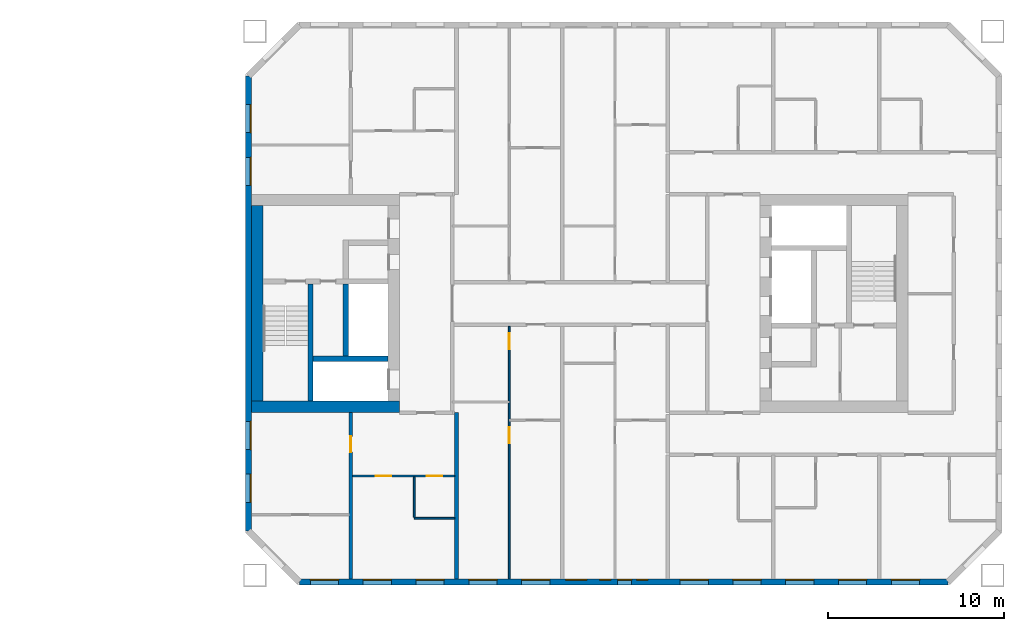
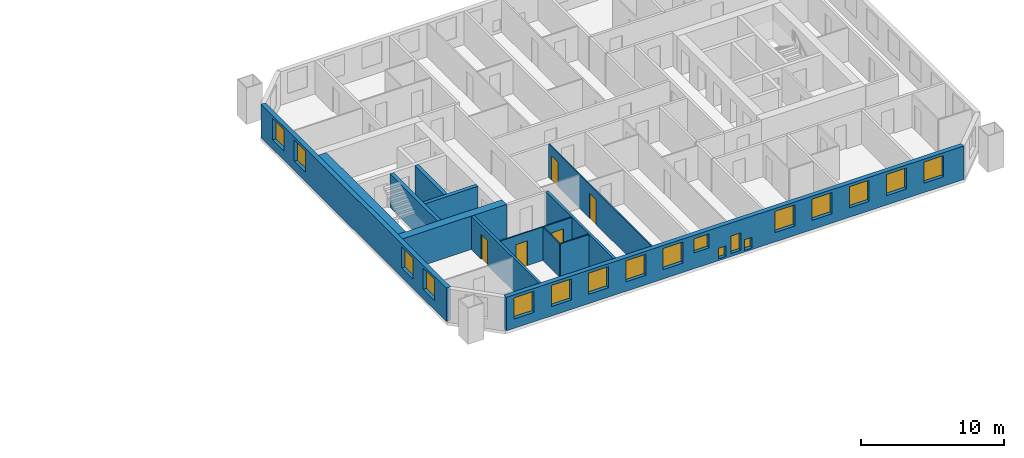
# One storey, part 9 of 16: 18 windows, 13 walls, 5 doors, 23 openings.
"""IFC4 building model written with IfcOpenShell, lengths in metres."""

from ifc_helpers import new_model, si_unit, direction, frame, frame_2d, origin, place, context, subcontext, project, spatial, rectangle, extrude, material, layer, layer_set, type_object, element, fill, save


model = new_model("IFC4")

# Units and contexts
model_context = context("Model", 3, precision=1e-05, world=origin(), true_north=direction((0.0, 1.0)))
body_context = subcontext(model_context, "Body", "Model", "MODEL_VIEW")
ifc_project = project(units=[si_unit("LENGTHUNIT", "METRE"), si_unit("AREAUNIT", "SQUARE_METRE"), si_unit("VOLUMEUNIT", "CUBIC_METRE"), si_unit("PLANEANGLEUNIT", "RADIAN"), si_unit("MASSUNIT", "GRAM", prefix="KILO")], contexts=[model_context])

# Site, building, storey
site_placement = place(None, origin())
site = spatial("IfcSite", under=ifc_project, at=site_placement, CompositionType="ELEMENT")
building_placement = place(site_placement, origin())
building = spatial("IfcBuilding", under=site, at=building_placement, Name="Tuart Gate Housing", CompositionType="ELEMENT")
storey_placement = place(building_placement, frame((0.0, 0.0, 111.89990234375)))
storey = spatial("IfcBuildingStorey", under=building, at=storey_placement, Name="L31", CompositionType="ELEMENT", Elevation=111.89990234375)

# Wall, openings, windows
ifc_material_1 = material(Name="Brick", Category="masonry")
ifc_layer_1 = layer(ifc_material_1, 0.360107421875)
ifc_layer_set_1 = layer_set([ifc_layer_1], Name="Brick pier and spandrel wall 360")
wall_type_1 = type_object("IfcWallType", Name="Brick pier and spandrel wall 360", PredefinedType="STANDARD", material=ifc_layer_set_1)
wall_1_placement = place(storey_placement, frame((134.07470703125, 54.179931640625, 0.0), z_axis=(0.0, 0.0, 1.0), x_axis=(1.0, 0.0, 0.0)))
wall_1 = element("IfcWall", 1, at=wall_1_placement, inside=storey, type_object=wall_type_1, Name="External wall B-S L31", PredefinedType="STANDARD", context=body_context, shape_type="SweptSolid", body=[
    extrude(rectangle(XDim=36.850830078125, YDim=0.360107421875, at=frame_2d((18.42529296875, 0.0))), origin(), (0.0, 0.0, 1.0), 2.85009765625),
])
opening_1_placement = place(wall_1_placement, frame((0.62548828125, 0.0, 0.800048828125)))
opening_1 = element("IfcOpeningElement", 2, at=opening_1_placement, cuts=wall_1, Name="Opening W1", PredefinedType="OPENING", context=body_context, shape_type="SweptSolid", body=[
    extrude(rectangle(XDim=1.60009765625, YDim=1.800048828125, at=frame_2d((0.800048828125, 0.89990234375))), frame((0.0, 0.18994140625, 0.0), z_axis=(0.0, -1.0, 0.0), x_axis=(1.0, 0.0, 0.0)), (0.0, 0.0, 1.0), 0.380126953125),
])
opening_2_placement = place(wall_1_placement, frame((3.62548828125, 0.0, 0.800048828125)))
opening_2 = element("IfcOpeningElement", 3, at=opening_2_placement, cuts=wall_1, Name="Opening W1", PredefinedType="OPENING", context=body_context, shape_type="SweptSolid", body=[
    extrude(rectangle(XDim=1.60009765625, YDim=1.800048828125, at=frame_2d((0.800048828125, 0.89990234375))), frame((0.0, 0.18994140625, 0.0), z_axis=(0.0, -1.0, 0.0), x_axis=(1.0, 0.0, 0.0)), (0.0, 0.0, 1.0), 0.380126953125),
])
opening_3_placement = place(wall_1_placement, frame((6.62548828125, 0.0, 0.800048828125)))
opening_3 = element("IfcOpeningElement", 4, at=opening_3_placement, cuts=wall_1, Name="Opening W1", PredefinedType="OPENING", context=body_context, shape_type="SweptSolid", body=[
    extrude(rectangle(XDim=1.60009765625, YDim=1.800048828125, at=frame_2d((0.800048828125, 0.89990234375))), frame((0.0, 0.18994140625, 0.0), z_axis=(0.0, -1.0, 0.0), x_axis=(1.0, 0.0, 0.0)), (0.0, 0.0, 1.0), 0.380126953125),
])
opening_4_placement = place(wall_1_placement, frame((9.62548828125, 0.0, 0.800048828125)))
opening_4 = element("IfcOpeningElement", 5, at=opening_4_placement, cuts=wall_1, Name="Opening W1", PredefinedType="OPENING", context=body_context, shape_type="SweptSolid", body=[
    extrude(rectangle(XDim=1.60009765625, YDim=1.800048828125, at=frame_2d((0.800048828125, 0.89990234375))), frame((0.0, 0.18994140625, 0.0), z_axis=(0.0, -1.0, 0.0), x_axis=(1.0, 0.0, 0.0)), (0.0, 0.0, 1.0), 0.380126953125),
])
opening_5_placement = place(wall_1_placement, frame((12.62548828125, 0.0, 0.800048828125)))
opening_5 = element("IfcOpeningElement", 6, at=opening_5_placement, cuts=wall_1, Name="Opening W1", PredefinedType="OPENING", context=body_context, shape_type="SweptSolid", body=[
    extrude(rectangle(XDim=1.60009765625, YDim=1.800048828125, at=frame_2d((0.800048828125, 0.89990234375))), frame((0.0, 0.18994140625, 0.0), z_axis=(0.0, -1.0, 0.0), x_axis=(1.0, 0.0, 0.0)), (0.0, 0.0, 1.0), 0.380126953125),
])
opening_6_placement = place(wall_1_placement, frame((15.12548828125, 0.0, 1.35009765625)))
opening_6 = element("IfcOpeningElement", 7, at=opening_6_placement, cuts=wall_1, Name="Opening W1N", PredefinedType="OPENING", context=body_context, shape_type="SweptSolid", body=[
    extrude(rectangle(XDim=1.199951171875, YDim=1.199951171875, at=frame_2d((0.60009765625, 0.60009765625))), frame((0.0, 0.18994140625, 0.0), z_axis=(0.0, -1.0, 0.0), x_axis=(1.0, 0.0, 0.0)), (0.0, 0.0, 1.0), 0.380126953125),
])
opening_7_placement = place(wall_1_placement, frame((18.075439453125, 0.0, 0.25)))
opening_7 = element("IfcOpeningElement", 8, at=opening_7_placement, cuts=wall_1, Name="Opening W1J", PredefinedType="OPENING", context=body_context, shape_type="SweptSolid", body=[
    extrude(rectangle(XDim=0.800048828125, YDim=1.5, at=frame_2d((0.39990234375, 0.75))), frame((0.0, 0.18994140625, 0.0), z_axis=(0.0, -1.0, 0.0), x_axis=(1.0, 0.0, 0.0)), (0.0, 0.0, 1.0), 0.380126953125),
])
opening_8_placement = place(wall_1_placement, frame((21.62548828125, 0.0, 0.800048828125)))
opening_8 = element("IfcOpeningElement", 9, at=opening_8_placement, cuts=wall_1, Name="Opening W1", PredefinedType="OPENING", context=body_context, shape_type="SweptSolid", body=[
    extrude(rectangle(XDim=1.60009765625, YDim=1.800048828125, at=frame_2d((0.800048828125, 0.89990234375))), frame((0.0, 0.18994140625, 0.0), z_axis=(0.0, -1.0, 0.0), x_axis=(1.0, 0.0, 0.0)), (0.0, 0.0, 1.0), 0.380126953125),
])
opening_9_placement = place(wall_1_placement, frame((24.62548828125, 0.0, 0.800048828125)))
opening_9 = element("IfcOpeningElement", 10, at=opening_9_placement, cuts=wall_1, Name="Opening W1", PredefinedType="OPENING", context=body_context, shape_type="SweptSolid", body=[
    extrude(rectangle(XDim=1.60009765625, YDim=1.800048828125, at=frame_2d((0.800048828125, 0.89990234375))), frame((0.0, 0.18994140625, 0.0), z_axis=(0.0, -1.0, 0.0), x_axis=(1.0, 0.0, 0.0)), (0.0, 0.0, 1.0), 0.380126953125),
])
opening_10_placement = place(wall_1_placement, frame((27.62548828125, 0.0, 0.800048828125)))
opening_10 = element("IfcOpeningElement", 11, at=opening_10_placement, cuts=wall_1, Name="Opening W1", PredefinedType="OPENING", context=body_context, shape_type="SweptSolid", body=[
    extrude(rectangle(XDim=1.60009765625, YDim=1.800048828125, at=frame_2d((0.800048828125, 0.89990234375))), frame((0.0, 0.18994140625, 0.0), z_axis=(0.0, -1.0, 0.0), x_axis=(1.0, 0.0, 0.0)), (0.0, 0.0, 1.0), 0.380126953125),
])
opening_11_placement = place(wall_1_placement, frame((30.62548828125, 0.0, 0.800048828125)))
opening_11 = element("IfcOpeningElement", 12, at=opening_11_placement, cuts=wall_1, Name="Opening W1", PredefinedType="OPENING", context=body_context, shape_type="SweptSolid", body=[
    extrude(rectangle(XDim=1.60009765625, YDim=1.800048828125, at=frame_2d((0.800048828125, 0.89990234375))), frame((0.0, 0.18994140625, 0.0), z_axis=(0.0, -1.0, 0.0), x_axis=(1.0, 0.0, 0.0)), (0.0, 0.0, 1.0), 0.380126953125),
])
opening_12_placement = place(wall_1_placement, frame((33.62548828125, 0.0, 0.800048828125)))
opening_12 = element("IfcOpeningElement", 13, at=opening_12_placement, cuts=wall_1, Name="Opening W1", PredefinedType="OPENING", context=body_context, shape_type="SweptSolid", body=[
    extrude(rectangle(XDim=1.60009765625, YDim=1.800048828125, at=frame_2d((0.800048828125, 0.89990234375))), frame((0.0, 0.18994140625, 0.0), z_axis=(0.0, -1.0, 0.0), x_axis=(1.0, 0.0, 0.0)), (0.0, 0.0, 1.0), 0.380126953125),
])
opening_13_placement = place(wall_1_placement, frame((17.075439453125, 0.0, 0.14990234375)))
opening_13 = element("IfcOpeningElement", 14, at=opening_13_placement, cuts=wall_1, Name="Opening W1W", PredefinedType="OPENING", context=body_context, shape_type="SweptSolid", body=[
    extrude(rectangle(XDim=0.60009765625, YDim=0.89990234375, at=frame_2d((0.300048828125, 0.449951171875))), frame((0.0, 0.18994140625, 0.0), z_axis=(0.0, -1.0, 0.0), x_axis=(1.0, 0.0, 0.0)), (0.0, 0.0, 1.0), 0.380126953125),
])
opening_14_placement = place(wall_1_placement, frame((19.17529296875, 0.0, 0.14990234375)))
opening_14 = element("IfcOpeningElement", 15, at=opening_14_placement, cuts=wall_1, Name="Opening W1W", PredefinedType="OPENING", context=body_context, shape_type="SweptSolid", body=[
    extrude(rectangle(XDim=0.60009765625, YDim=0.89990234375, at=frame_2d((0.300048828125, 0.449951171875))), frame((0.0, 0.18994140625, 0.0), z_axis=(0.0, -1.0, 0.0), x_axis=(1.0, 0.0, 0.0)), (0.0, 0.0, 1.0), 0.380126953125),
])
ifc_material_2 = material(Name="Aluminium frame with clear glass", Category="aluminium")
window_type_1 = type_object("IfcWindowType", Name="Punched window 1200 x 1200", PartitioningType="SINGLE_PANEL", PredefinedType="WINDOW", material=ifc_material_2)
window_1_placement = place(opening_6_placement, origin())
window_1 = element("IfcWindow", 16, at=window_1_placement, inside=storey, type_object=window_type_1, Name="Window W1N", OverallHeight=1.199951171875, OverallWidth=1.199951171875, PartitioningType="SINGLE_PANEL", PredefinedType="WINDOW", context=body_context, shape_type="SweptSolid", body=[
    extrude(rectangle(XDim=1.199951171875, YDim=1.199951171875, at=frame_2d((0.60009765625, 0.60009765625))), frame((0.0, 0.150146484375, 0.0), z_axis=(0.0, -1.0, 0.0), x_axis=(1.0, 0.0, 0.0)), (0.0, 0.0, 1.0), 0.06005859375),
])
fill(opening_6, window_1)
ifc_material_3 = material(Name="Aluminium frame with clear glass", Category="aluminium")
window_type_2 = type_object("IfcWindowType", Name="Punched window 1600 x 1800", PartitioningType="SINGLE_PANEL", PredefinedType="WINDOW", material=ifc_material_3)
window_2_placement = place(opening_1_placement, origin())
window_2 = element("IfcWindow", 17, at=window_2_placement, inside=storey, type_object=window_type_2, Name="Window W1", OverallHeight=1.800048828125, OverallWidth=1.60009765625, PartitioningType="SINGLE_PANEL", PredefinedType="WINDOW", context=body_context, shape_type="SweptSolid", body=[
    extrude(rectangle(XDim=1.60009765625, YDim=1.800048828125, at=frame_2d((0.800048828125, 0.89990234375))), frame((0.0, 0.150146484375, 0.0), z_axis=(0.0, -1.0, 0.0), x_axis=(1.0, 0.0, 0.0)), (0.0, 0.0, 1.0), 0.06005859375),
])
fill(opening_1, window_2)
window_3_placement = place(opening_2_placement, origin())
window_3 = element("IfcWindow", 18, at=window_3_placement, inside=storey, type_object=window_type_2, Name="Window W1", OverallHeight=1.800048828125, OverallWidth=1.60009765625, PartitioningType="SINGLE_PANEL", PredefinedType="WINDOW", context=body_context, shape_type="SweptSolid", body=[
    extrude(rectangle(XDim=1.60009765625, YDim=1.800048828125, at=frame_2d((0.800048828125, 0.89990234375))), frame((0.0, 0.150146484375, 0.0), z_axis=(0.0, -1.0, 0.0), x_axis=(1.0, 0.0, 0.0)), (0.0, 0.0, 1.0), 0.06005859375),
])
fill(opening_2, window_3)
window_4_placement = place(opening_3_placement, origin())
window_4 = element("IfcWindow", 19, at=window_4_placement, inside=storey, type_object=window_type_2, Name="Window W1", OverallHeight=1.800048828125, OverallWidth=1.60009765625, PartitioningType="SINGLE_PANEL", PredefinedType="WINDOW", context=body_context, shape_type="SweptSolid", body=[
    extrude(rectangle(XDim=1.60009765625, YDim=1.800048828125, at=frame_2d((0.800048828125, 0.89990234375))), frame((0.0, 0.150146484375, 0.0), z_axis=(0.0, -1.0, 0.0), x_axis=(1.0, 0.0, 0.0)), (0.0, 0.0, 1.0), 0.06005859375),
])
fill(opening_3, window_4)
window_5_placement = place(opening_4_placement, origin())
window_5 = element("IfcWindow", 20, at=window_5_placement, inside=storey, type_object=window_type_2, Name="Window W1", OverallHeight=1.800048828125, OverallWidth=1.60009765625, PartitioningType="SINGLE_PANEL", PredefinedType="WINDOW", context=body_context, shape_type="SweptSolid", body=[
    extrude(rectangle(XDim=1.60009765625, YDim=1.800048828125, at=frame_2d((0.800048828125, 0.89990234375))), frame((0.0, 0.150146484375, 0.0), z_axis=(0.0, -1.0, 0.0), x_axis=(1.0, 0.0, 0.0)), (0.0, 0.0, 1.0), 0.06005859375),
])
fill(opening_4, window_5)
window_6_placement = place(opening_5_placement, origin())
window_6 = element("IfcWindow", 21, at=window_6_placement, inside=storey, type_object=window_type_2, Name="Window W1", OverallHeight=1.800048828125, OverallWidth=1.60009765625, PartitioningType="SINGLE_PANEL", PredefinedType="WINDOW", context=body_context, shape_type="SweptSolid", body=[
    extrude(rectangle(XDim=1.60009765625, YDim=1.800048828125, at=frame_2d((0.800048828125, 0.89990234375))), frame((0.0, 0.150146484375, 0.0), z_axis=(0.0, -1.0, 0.0), x_axis=(1.0, 0.0, 0.0)), (0.0, 0.0, 1.0), 0.06005859375),
])
fill(opening_5, window_6)
window_7_placement = place(opening_8_placement, origin())
window_7 = element("IfcWindow", 22, at=window_7_placement, inside=storey, type_object=window_type_2, Name="Window W1", OverallHeight=1.800048828125, OverallWidth=1.60009765625, PartitioningType="SINGLE_PANEL", PredefinedType="WINDOW", context=body_context, shape_type="SweptSolid", body=[
    extrude(rectangle(XDim=1.60009765625, YDim=1.800048828125, at=frame_2d((0.800048828125, 0.89990234375))), frame((0.0, 0.150146484375, 0.0), z_axis=(0.0, -1.0, 0.0), x_axis=(1.0, 0.0, 0.0)), (0.0, 0.0, 1.0), 0.06005859375),
])
fill(opening_8, window_7)
window_8_placement = place(opening_9_placement, origin())
window_8 = element("IfcWindow", 23, at=window_8_placement, inside=storey, type_object=window_type_2, Name="Window W1", OverallHeight=1.800048828125, OverallWidth=1.60009765625, PartitioningType="SINGLE_PANEL", PredefinedType="WINDOW", context=body_context, shape_type="SweptSolid", body=[
    extrude(rectangle(XDim=1.60009765625, YDim=1.800048828125, at=frame_2d((0.800048828125, 0.89990234375))), frame((0.0, 0.150146484375, 0.0), z_axis=(0.0, -1.0, 0.0), x_axis=(1.0, 0.0, 0.0)), (0.0, 0.0, 1.0), 0.06005859375),
])
fill(opening_9, window_8)
window_9_placement = place(opening_10_placement, origin())
window_9 = element("IfcWindow", 24, at=window_9_placement, inside=storey, type_object=window_type_2, Name="Window W1", OverallHeight=1.800048828125, OverallWidth=1.60009765625, PartitioningType="SINGLE_PANEL", PredefinedType="WINDOW", context=body_context, shape_type="SweptSolid", body=[
    extrude(rectangle(XDim=1.60009765625, YDim=1.800048828125, at=frame_2d((0.800048828125, 0.89990234375))), frame((0.0, 0.150146484375, 0.0), z_axis=(0.0, -1.0, 0.0), x_axis=(1.0, 0.0, 0.0)), (0.0, 0.0, 1.0), 0.06005859375),
])
fill(opening_10, window_9)
window_10_placement = place(opening_11_placement, origin())
window_10 = element("IfcWindow", 25, at=window_10_placement, inside=storey, type_object=window_type_2, Name="Window W1", OverallHeight=1.800048828125, OverallWidth=1.60009765625, PartitioningType="SINGLE_PANEL", PredefinedType="WINDOW", context=body_context, shape_type="SweptSolid", body=[
    extrude(rectangle(XDim=1.60009765625, YDim=1.800048828125, at=frame_2d((0.800048828125, 0.89990234375))), frame((0.0, 0.150146484375, 0.0), z_axis=(0.0, -1.0, 0.0), x_axis=(1.0, 0.0, 0.0)), (0.0, 0.0, 1.0), 0.06005859375),
])
fill(opening_11, window_10)
window_11_placement = place(opening_12_placement, origin())
window_11 = element("IfcWindow", 26, at=window_11_placement, inside=storey, type_object=window_type_2, Name="Window W1", OverallHeight=1.800048828125, OverallWidth=1.60009765625, PartitioningType="SINGLE_PANEL", PredefinedType="WINDOW", context=body_context, shape_type="SweptSolid", body=[
    extrude(rectangle(XDim=1.60009765625, YDim=1.800048828125, at=frame_2d((0.800048828125, 0.89990234375))), frame((0.0, 0.150146484375, 0.0), z_axis=(0.0, -1.0, 0.0), x_axis=(1.0, 0.0, 0.0)), (0.0, 0.0, 1.0), 0.06005859375),
])
fill(opening_12, window_11)
ifc_material_4 = material(Name="Aluminium frame with clear glass", Category="aluminium")
window_type_3 = type_object("IfcWindowType", Name="Punched window 600 x 900", PartitioningType="SINGLE_PANEL", PredefinedType="WINDOW", material=ifc_material_4)
window_12_placement = place(opening_13_placement, origin())
window_12 = element("IfcWindow", 27, at=window_12_placement, inside=storey, type_object=window_type_3, Name="Window W1W", OverallHeight=0.89990234375, OverallWidth=0.60009765625, PartitioningType="SINGLE_PANEL", PredefinedType="WINDOW", context=body_context, shape_type="SweptSolid", body=[
    extrude(rectangle(XDim=0.60009765625, YDim=0.89990234375, at=frame_2d((0.300048828125, 0.449951171875))), frame((0.0, 0.150146484375, 0.0), z_axis=(0.0, -1.0, 0.0), x_axis=(1.0, 0.0, 0.0)), (0.0, 0.0, 1.0), 0.06005859375),
])
fill(opening_13, window_12)
window_13_placement = place(opening_14_placement, origin())
window_13 = element("IfcWindow", 28, at=window_13_placement, inside=storey, type_object=window_type_3, Name="Window W1W", OverallHeight=0.89990234375, OverallWidth=0.60009765625, PartitioningType="SINGLE_PANEL", PredefinedType="WINDOW", context=body_context, shape_type="SweptSolid", body=[
    extrude(rectangle(XDim=0.60009765625, YDim=0.89990234375, at=frame_2d((0.300048828125, 0.449951171875))), frame((0.0, 0.150146484375, 0.0), z_axis=(0.0, -1.0, 0.0), x_axis=(1.0, 0.0, 0.0)), (0.0, 0.0, 1.0), 0.06005859375),
])
fill(opening_14, window_13)
ifc_material_5 = material(Name="Aluminium frame with clear glass", Category="aluminium")
window_type_4 = type_object("IfcWindowType", Name="Punched window 800 x 1500", PartitioningType="SINGLE_PANEL", PredefinedType="WINDOW", material=ifc_material_5)
window_14_placement = place(opening_7_placement, origin())
window_14 = element("IfcWindow", 29, at=window_14_placement, inside=storey, type_object=window_type_4, Name="Window W1J", OverallHeight=1.5, OverallWidth=0.800048828125, PartitioningType="SINGLE_PANEL", PredefinedType="WINDOW", context=body_context, shape_type="SweptSolid", body=[
    extrude(rectangle(XDim=0.800048828125, YDim=1.5, at=frame_2d((0.39990234375, 0.75))), frame((0.0, 0.150146484375, 0.0), z_axis=(0.0, -1.0, 0.0), x_axis=(1.0, 0.0, 0.0)), (0.0, 0.0, 1.0), 0.06005859375),
])
fill(opening_7, window_14)

wall_2_placement = place(storey_placement, frame((131.179931640625, 82.92529296875, 0.0), z_axis=(0.0, 0.0, 1.0), x_axis=(0.0, -1.0, 0.0)))
wall_2 = element("IfcWall", 30, at=wall_2_placement, inside=storey, type_object=wall_type_1, Name="External wall B-W L31", PredefinedType="STANDARD", context=body_context, shape_type="SweptSolid", body=[
    extrude(rectangle(XDim=25.850830078125, YDim=0.360107421875, at=frame_2d((12.92529296875, 0.0))), origin(), (0.0, 0.0, 1.0), 2.85009765625),
])
opening_15_placement = place(wall_2_placement, frame((1.62548828125, 0.0, 0.800048828125)))
opening_15 = element("IfcOpeningElement", 31, at=opening_15_placement, cuts=wall_2, Name="Opening W1", PredefinedType="OPENING", context=body_context, shape_type="SweptSolid", body=[
    extrude(rectangle(XDim=1.60009765625, YDim=1.800048828125, at=frame_2d((0.800048828125, 0.89990234375))), frame((0.0, 0.18994140625, 0.0), z_axis=(0.0, -1.0, 0.0), x_axis=(1.0, 0.0, 0.0)), (0.0, 0.0, 1.0), 0.380126953125),
])
opening_16_placement = place(wall_2_placement, frame((4.62548828125, 0.0, 0.800048828125)))
opening_16 = element("IfcOpeningElement", 32, at=opening_16_placement, cuts=wall_2, Name="Opening W1", PredefinedType="OPENING", context=body_context, shape_type="SweptSolid", body=[
    extrude(rectangle(XDim=1.60009765625, YDim=1.800048828125, at=frame_2d((0.800048828125, 0.89990234375))), frame((0.0, 0.18994140625, 0.0), z_axis=(0.0, -1.0, 0.0), x_axis=(1.0, 0.0, 0.0)), (0.0, 0.0, 1.0), 0.380126953125),
])
opening_17_placement = place(wall_2_placement, frame((19.62548828125, 0.0, 0.800048828125)))
opening_17 = element("IfcOpeningElement", 33, at=opening_17_placement, cuts=wall_2, Name="Opening W1", PredefinedType="OPENING", context=body_context, shape_type="SweptSolid", body=[
    extrude(rectangle(XDim=1.60009765625, YDim=1.800048828125, at=frame_2d((0.800048828125, 0.89990234375))), frame((0.0, 0.18994140625, 0.0), z_axis=(0.0, -1.0, 0.0), x_axis=(1.0, 0.0, 0.0)), (0.0, 0.0, 1.0), 0.380126953125),
])
opening_18_placement = place(wall_2_placement, frame((22.62548828125, 0.0, 0.800048828125)))
opening_18 = element("IfcOpeningElement", 34, at=opening_18_placement, cuts=wall_2, Name="Opening W1", PredefinedType="OPENING", context=body_context, shape_type="SweptSolid", body=[
    extrude(rectangle(XDim=1.60009765625, YDim=1.800048828125, at=frame_2d((0.800048828125, 0.89990234375))), frame((0.0, 0.18994140625, 0.0), z_axis=(0.0, -1.0, 0.0), x_axis=(1.0, 0.0, 0.0)), (0.0, 0.0, 1.0), 0.380126953125),
])
window_15_placement = place(opening_15_placement, origin())
window_15 = element("IfcWindow", 35, at=window_15_placement, inside=storey, type_object=window_type_2, Name="Window W1", OverallHeight=1.800048828125, OverallWidth=1.60009765625, PartitioningType="SINGLE_PANEL", PredefinedType="WINDOW", context=body_context, shape_type="SweptSolid", body=[
    extrude(rectangle(XDim=1.60009765625, YDim=1.800048828125, at=frame_2d((0.800048828125, 0.89990234375))), frame((0.0, 0.150146484375, 0.0), z_axis=(0.0, -1.0, 0.0), x_axis=(1.0, 0.0, 0.0)), (0.0, 0.0, 1.0), 0.06005859375),
])
fill(opening_15, window_15)
window_16_placement = place(opening_16_placement, origin())
window_16 = element("IfcWindow", 36, at=window_16_placement, inside=storey, type_object=window_type_2, Name="Window W1", OverallHeight=1.800048828125, OverallWidth=1.60009765625, PartitioningType="SINGLE_PANEL", PredefinedType="WINDOW", context=body_context, shape_type="SweptSolid", body=[
    extrude(rectangle(XDim=1.60009765625, YDim=1.800048828125, at=frame_2d((0.800048828125, 0.89990234375))), frame((0.0, 0.150146484375, 0.0), z_axis=(0.0, -1.0, 0.0), x_axis=(1.0, 0.0, 0.0)), (0.0, 0.0, 1.0), 0.06005859375),
])
fill(opening_16, window_16)
window_17_placement = place(opening_17_placement, origin())
window_17 = element("IfcWindow", 37, at=window_17_placement, inside=storey, type_object=window_type_2, Name="Window W1", OverallHeight=1.800048828125, OverallWidth=1.60009765625, PartitioningType="SINGLE_PANEL", PredefinedType="WINDOW", context=body_context, shape_type="SweptSolid", body=[
    extrude(rectangle(XDim=1.60009765625, YDim=1.800048828125, at=frame_2d((0.800048828125, 0.89990234375))), frame((0.0, 0.150146484375, 0.0), z_axis=(0.0, -1.0, 0.0), x_axis=(1.0, 0.0, 0.0)), (0.0, 0.0, 1.0), 0.06005859375),
])
fill(opening_17, window_17)
window_18_placement = place(opening_18_placement, origin())
window_18 = element("IfcWindow", 38, at=window_18_placement, inside=storey, type_object=window_type_2, Name="Window W1", OverallHeight=1.800048828125, OverallWidth=1.60009765625, PartitioningType="SINGLE_PANEL", PredefinedType="WINDOW", context=body_context, shape_type="SweptSolid", body=[
    extrude(rectangle(XDim=1.60009765625, YDim=1.800048828125, at=frame_2d((0.800048828125, 0.89990234375))), frame((0.0, 0.150146484375, 0.0), z_axis=(0.0, -1.0, 0.0), x_axis=(1.0, 0.0, 0.0)), (0.0, 0.0, 1.0), 0.06005859375),
])
fill(opening_18, window_18)

# Walls
ifc_material_6 = material(Name="Concrete C50", Category="concrete")
ifc_layer_2 = layer(ifc_material_6, 0.300048828125)
ifc_layer_set_2 = layer_set([ifc_layer_2], Name="Core wall 300 C50")
wall_type_2 = type_object("IfcWallType", Name="Core wall 300 C50", PredefinedType="SHEAR", material=ifc_layer_set_2)
wall_3_placement = place(storey_placement, frame((139.110107421875, 66.85009765625, 0.0), z_axis=(0.0, 0.0, 1.0), x_axis=(-1.0, 0.0, 0.0)))
element("IfcWall", 39, at=wall_3_placement, inside=storey, type_object=wall_type_2, Name="Core wall BG.1", PredefinedType="SHEAR", context=body_context, shape_type="SweptSolid", body=[
    extrude(rectangle(XDim=4.25, YDim=0.300048828125, at=frame_2d((2.125, 0.0))), origin(), (0.0, 0.0, 1.0), 2.85009765625),
])
wall_4_placement = place(storey_placement, frame((136.7099609375, 67.0, 0.0), z_axis=(0.0, 0.0, 1.0), x_axis=(0.0, 1.0, 0.0)))
element("IfcWall", 40, at=wall_4_placement, inside=storey, type_object=wall_type_2, Name="Core wall BG.4", PredefinedType="SHEAR", context=body_context, shape_type="SweptSolid", body=[
    extrude(rectangle(XDim=4.10009765625, YDim=0.300048828125, at=frame_2d((2.050048828125, 0.0))), origin(), (0.0, 0.0, 1.0), 2.85009765625),
])
wall_5_placement = place(storey_placement, frame((134.7099609375, 64.449951171875, 0.0), z_axis=(0.0, 0.0, 1.0), x_axis=(0.0, 1.0, 0.0)))
element("IfcWall", 41, at=wall_5_placement, inside=storey, type_object=wall_type_2, Name="Core wall BG.6", PredefinedType="SHEAR", context=body_context, shape_type="SweptSolid", body=[
    extrude(rectangle(XDim=6.650146484375, YDim=0.300048828125, at=frame_2d((3.3251953125, 0.0))), origin(), (0.0, 0.0, 1.0), 2.85009765625),
])
ifc_material_7 = material(Name="Concrete C50", Category="concrete")
ifc_layer_3 = layer(ifc_material_7, 0.64990234375)
ifc_layer_set_3 = layer_set([ifc_layer_3], Name="Core wall 650 C50")
wall_type_3 = type_object("IfcWallType", Name="Core wall 650 C50", PredefinedType="SHEAR", material=ifc_layer_set_3)
wall_6_placement = place(storey_placement, frame((131.68505859375, 64.449951171875, 0.0), z_axis=(0.0, 0.0, 1.0), x_axis=(0.0, 1.0, 0.0)))
element("IfcWall", 42, at=wall_6_placement, inside=storey, type_object=wall_type_3, Name="Core wall BG back", PredefinedType="SHEAR", context=body_context, shape_type="SweptSolid", body=[
    extrude(rectangle(XDim=11.10009765625, YDim=0.64990234375, at=frame_2d((5.550048828125, 0.0))), origin(), (0.0, 0.0, 1.0), 2.85009765625),
])
wall_7_placement = place(storey_placement, frame((139.760009765625, 64.125, 0.0), z_axis=(0.0, 0.0, 1.0), x_axis=(-1.0, 0.0, 0.0)))
element("IfcWall", 43, at=wall_7_placement, inside=storey, type_object=wall_type_3, Name="Core wall BG south", PredefinedType="SHEAR", context=body_context, shape_type="SweptSolid", body=[
    extrude(rectangle(XDim=8.39990234375, YDim=0.64990234375, at=frame_2d((4.199951171875, 0.0))), origin(), (0.0, 0.0, 1.0), 2.85009765625),
])
ifc_material_8 = material(Name="Gypsum board on steel studs", Category="steel")
ifc_layer_4 = layer(ifc_material_8, 0.10009765625)
ifc_layer_set_4 = layer_set([ifc_layer_4], Name="Partition 100")
wall_type_4 = type_object("IfcWallType", Name="Partition 100", PredefinedType="PARTITIONING", material=ifc_layer_set_4)
wall_8_placement = place(storey_placement, frame((140.60009765625, 57.800048828125, 0.0), z_axis=(0.0, 0.0, 1.0), x_axis=(1.0, 0.0, 0.0)))
element("IfcWall", 44, at=wall_8_placement, inside=storey, type_object=wall_type_4, Name="Partition 100", PredefinedType="PARTITIONING", context=body_context, shape_type="SweptSolid", body=[
    extrude(rectangle(XDim=2.2998046875, YDim=0.10009765625, at=frame_2d((1.14990234375, 0.0))), origin(), (0.0, 0.0, 1.0), 2.85009765625),
])

# Wall, openings, doors
wall_9_placement = place(storey_placement, frame((137.10009765625, 60.199951171875, 0.0), z_axis=(0.0, 0.0, 1.0), x_axis=(1.0, 0.0, 0.0)))
wall_9 = element("IfcWall", 45, at=wall_9_placement, inside=storey, type_object=wall_type_4, Name="Partition 100", PredefinedType="PARTITIONING", context=body_context, shape_type="SweptSolid", body=[
    extrude(rectangle(XDim=5.7998046875, YDim=0.10009765625, at=frame_2d((2.89990234375, 0.0))), origin(), (0.0, 0.0, 1.0), 2.85009765625),
])
opening_19_placement = place(wall_9_placement, frame((1.300048828125, 0.0, 0.0)))
opening_19 = element("IfcOpeningElement", 46, at=opening_19_placement, cuts=wall_9, Name="Opening D1284", PredefinedType="OPENING", context=body_context, shape_type="SweptSolid", body=[
    extrude(rectangle(XDim=0.89990234375, YDim=2.10009765625, at=frame_2d((0.449951171875, 1.050048828125))), frame((0.0, 0.06005859375, 0.0), z_axis=(0.0, -1.0, 0.0), x_axis=(1.0, 0.0, 0.0)), (0.0, 0.0, 1.0), 0.1201171875),
])
opening_20_placement = place(wall_9_placement, frame((4.199951171875, 0.0, 0.0)))
opening_20 = element("IfcOpeningElement", 47, at=opening_20_placement, cuts=wall_9, Name="Opening D1283", PredefinedType="OPENING", context=body_context, shape_type="SweptSolid", body=[
    extrude(rectangle(XDim=0.89990234375, YDim=2.10009765625, at=frame_2d((0.449951171875, 1.050048828125))), frame((0.0, 0.06005859375, 0.0), z_axis=(0.0, -1.0, 0.0), x_axis=(1.0, 0.0, 0.0)), (0.0, 0.0, 1.0), 0.1201171875),
])
ifc_material_9 = material(Name="Timber door leaf in steel frame", Category="steel")
door_type_1 = type_object("IfcDoorType", Name="Bathroom door 900 RH", OperationType="SINGLE_SWING_RIGHT", PredefinedType="DOOR", material=ifc_material_9)
door_1_placement = place(opening_20_placement, frame((0.89990234375, 0.0, 0.0), z_axis=(0.0, 0.0, 1.0), x_axis=(-1.0, 0.0, 0.0)))
door_1 = element("IfcDoor", 48, at=door_1_placement, inside=storey, type_object=door_type_1, Name="Bathroom door", OperationType="SINGLE_SWING_RIGHT", OverallHeight=2.10009765625, OverallWidth=0.89990234375, PredefinedType="DOOR", context=body_context, shape_type="SweptSolid", body=[
    extrude(rectangle(XDim=0.89990234375, YDim=2.10009765625, at=frame_2d((0.449951171875, 1.050048828125))), frame((0.0, 0.025146484375, 0.0), z_axis=(0.0, -1.0, 0.0), x_axis=(1.0, 0.0, 0.0)), (0.0, 0.0, 1.0), 0.050048828125),
])
fill(opening_20, door_1)
ifc_material_10 = material(Name="Timber door leaf in steel frame", Category="steel")
door_type_2 = type_object("IfcDoorType", Name="Internal door 900", OperationType="SINGLE_SWING_LEFT", PredefinedType="DOOR", material=ifc_material_10)
door_2_placement = place(opening_19_placement, frame((0.89990234375, 0.0, 0.0), z_axis=(0.0, 0.0, 1.0), x_axis=(-1.0, 0.0, 0.0)))
door_2 = element("IfcDoor", 49, at=door_2_placement, inside=storey, type_object=door_type_2, Name="Internal door", OperationType="SINGLE_SWING_LEFT", OverallHeight=2.10009765625, OverallWidth=0.89990234375, PredefinedType="DOOR", context=body_context, shape_type="SweptSolid", body=[
    extrude(rectangle(XDim=0.89990234375, YDim=2.10009765625, at=frame_2d((0.449951171875, 1.050048828125))), frame((0.0, 0.025146484375, 0.0), z_axis=(0.0, -1.0, 0.0), x_axis=(1.0, 0.0, 0.0)), (0.0, 0.0, 1.0), 0.050048828125),
])
fill(opening_19, door_2)

# Wall
wall_10_placement = place(storey_placement, frame((140.60009765625, 57.85009765625, 0.0), z_axis=(0.0, 0.0, 1.0), x_axis=(0.0, 1.0, 0.0)))
element("IfcWall", 50, at=wall_10_placement, inside=storey, type_object=wall_type_4, Name="Partition 100", PredefinedType="PARTITIONING", context=body_context, shape_type="SweptSolid", body=[
    extrude(rectangle(XDim=2.2998046875, YDim=0.10009765625, at=frame_2d((1.14990234375, 0.0))), origin(), (0.0, 0.0, 1.0), 2.85009765625),
])

# Wall, openings, doors
wall_11_placement = place(storey_placement, frame((146.0, 54.360107421875, 0.0), z_axis=(0.0, 0.0, 1.0), x_axis=(0.0, 1.0, 0.0)))
wall_11 = element("IfcWall", 51, at=wall_11_placement, inside=storey, type_object=wall_type_4, Name="Partition 100", PredefinedType="PARTITIONING", context=body_context, shape_type="SweptSolid", body=[
    extrude(rectangle(XDim=14.33984375, YDim=0.10009765625, at=frame_2d((7.169921875, 0.0))), origin(), (0.0, 0.0, 1.0), 2.85009765625),
])
opening_21_placement = place(wall_11_placement, frame((7.699951171875, 0.0, 0.0)))
opening_21 = element("IfcOpeningElement", 52, at=opening_21_placement, cuts=wall_11, Name="Opening D1277", PredefinedType="OPENING", context=body_context, shape_type="SweptSolid", body=[
    extrude(rectangle(XDim=0.89990234375, YDim=2.10009765625, at=frame_2d((0.449951171875, 1.050048828125))), frame((0.0, 0.06005859375, 0.0), z_axis=(0.0, -1.0, 0.0), x_axis=(1.0, 0.0, 0.0)), (0.0, 0.0, 1.0), 0.1201171875),
])
opening_22_placement = place(wall_11_placement, frame((13.0400390625, 0.0, 0.0)))
opening_22 = element("IfcOpeningElement", 53, at=opening_22_placement, cuts=wall_11, Name="Opening D1276", PredefinedType="OPENING", context=body_context, shape_type="SweptSolid", body=[
    extrude(rectangle(XDim=0.89990234375, YDim=2.10009765625, at=frame_2d((0.449951171875, 1.050048828125))), frame((0.0, 0.06005859375, 0.0), z_axis=(0.0, -1.0, 0.0), x_axis=(1.0, 0.0, 0.0)), (0.0, 0.0, 1.0), 0.1201171875),
])
door_3_placement = place(opening_22_placement, origin())
door_3 = element("IfcDoor", 54, at=door_3_placement, inside=storey, type_object=door_type_1, Name="Bathroom door", OperationType="SINGLE_SWING_RIGHT", OverallHeight=2.10009765625, OverallWidth=0.89990234375, PredefinedType="DOOR", context=body_context, shape_type="SweptSolid", body=[
    extrude(rectangle(XDim=0.89990234375, YDim=2.10009765625, at=frame_2d((0.449951171875, 1.050048828125))), frame((0.0, 0.02490234375, 0.0), z_axis=(0.0, -1.0, 0.0), x_axis=(1.0, 0.0, 0.0)), (0.0, 0.0, 1.0), 0.050048828125),
])
fill(opening_22, door_3)
ifc_material_11 = material(Name="Timber door leaf in steel frame", Category="steel")
door_type_3 = type_object("IfcDoorType", Name="Internal door 900 RH", OperationType="SINGLE_SWING_RIGHT", PredefinedType="DOOR", material=ifc_material_11)
door_4_placement = place(opening_21_placement, origin())
door_4 = element("IfcDoor", 55, at=door_4_placement, inside=storey, type_object=door_type_3, Name="Internal door", OperationType="SINGLE_SWING_RIGHT", OverallHeight=2.10009765625, OverallWidth=0.89990234375, PredefinedType="DOOR", context=body_context, shape_type="SweptSolid", body=[
    extrude(rectangle(XDim=0.89990234375, YDim=2.10009765625, at=frame_2d((0.449951171875, 1.050048828125))), frame((0.0, 0.02490234375, 0.0), z_axis=(0.0, -1.0, 0.0), x_axis=(1.0, 0.0, 0.0)), (0.0, 0.0, 1.0), 0.050048828125),
])
fill(opening_21, door_4)

# Wall, opening, door
ifc_material_12 = material(Name="Concrete C40", Category="concrete")
ifc_layer_5 = layer(ifc_material_12, 0.199951171875)
ifc_layer_set_5 = layer_set([ifc_layer_5], Name="Party wall concrete C40 200")
wall_type_5 = type_object("IfcWallType", Name="Party wall concrete C40 200", PredefinedType="SOLIDWALL", material=ifc_layer_set_5)
wall_12_placement = place(storey_placement, frame((137.0, 54.360107421875, 0.0), z_axis=(0.0, 0.0, 1.0), x_axis=(0.0, 1.0, 0.0)))
wall_12 = element("IfcWall", 56, at=wall_12_placement, inside=storey, type_object=wall_type_5, Name="Party wall concrete C40 200", PredefinedType="SOLIDWALL", context=body_context, shape_type="SweptSolid", body=[
    extrude(rectangle(XDim=9.43994140625, YDim=0.199951171875, at=frame_2d((4.719970703125, 0.0))), origin(), (0.0, 0.0, 1.0), 2.85009765625),
])
opening_23_placement = place(wall_12_placement, frame((7.18994140625, 0.0, 0.0)))
opening_23 = element("IfcOpeningElement", 57, at=opening_23_placement, cuts=wall_12, Name="Opening D1288", PredefinedType="OPENING", context=body_context, shape_type="SweptSolid", body=[
    extrude(rectangle(XDim=0.89990234375, YDim=2.10009765625, at=frame_2d((0.449951171875, 1.050048828125))), frame((0.0, 0.10986328125, 0.0), z_axis=(0.0, -1.0, 0.0), x_axis=(1.0, 0.0, 0.0)), (0.0, 0.0, 1.0), 0.219970703125),
])
door_5_placement = place(opening_23_placement, frame((0.89990234375, 0.0, 0.0), z_axis=(0.0, 0.0, 1.0), x_axis=(-1.0, 0.0, 0.0)))
door_5 = element("IfcDoor", 58, at=door_5_placement, inside=storey, type_object=door_type_3, Name="Internal door", OperationType="SINGLE_SWING_RIGHT", OverallHeight=2.10009765625, OverallWidth=0.89990234375, PredefinedType="DOOR", context=body_context, shape_type="SweptSolid", body=[
    extrude(rectangle(XDim=0.89990234375, YDim=2.10009765625, at=frame_2d((0.449951171875, 1.050048828125))), frame((0.0, 0.025146484375, 0.0), z_axis=(0.0, -1.0, 0.0), x_axis=(1.0, 0.0, 0.0)), (0.0, 0.0, 1.0), 0.050048828125),
])
fill(opening_23, door_5)

# Wall
wall_13_placement = place(storey_placement, frame((143.0, 54.360107421875, 0.0), z_axis=(0.0, 0.0, 1.0), x_axis=(0.0, 1.0, 0.0)))
element("IfcWall", 59, at=wall_13_placement, inside=storey, type_object=wall_type_5, Name="Party wall concrete C40 200", PredefinedType="SOLIDWALL", context=body_context, shape_type="SweptSolid", body=[
    extrude(rectangle(XDim=9.43994140625, YDim=0.199951171875, at=frame_2d((4.719970703125, 0.0))), origin(), (0.0, 0.0, 1.0), 2.85009765625),
])

save(model, "model.ifc")
